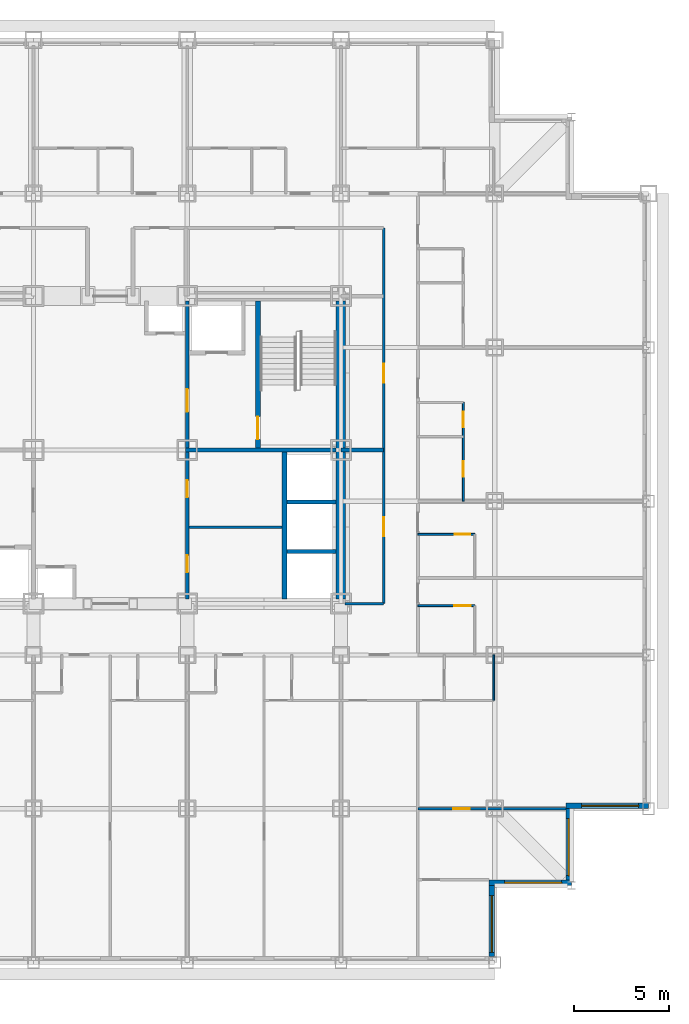
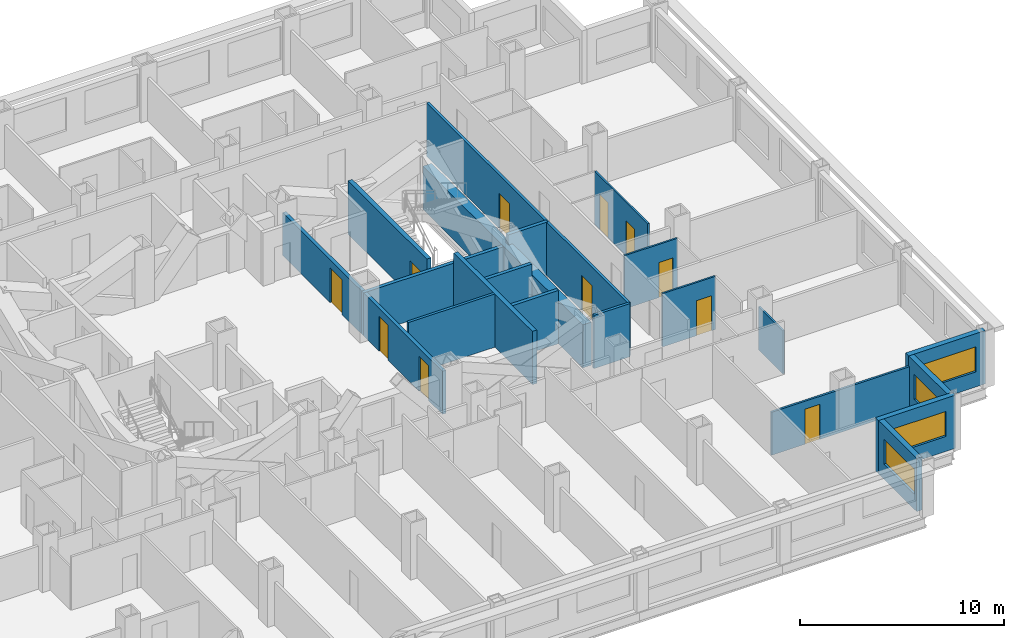
# One storey, part 7 of 12: 21 walls, 11 doors, 4 windows, 15 openings.
"""IFC4 building model written with IfcOpenShell, lengths in metres."""

from ifc_helpers import new_model, si_unit, direction, frame, frame_2d, origin, place, context, subcontext, project, spatial, rectangle, extrude, material, layer, layer_set, type_object, element, fill, save


model = new_model("IFC4")

# Units and contexts
model_context = context("Model", 3, precision=1e-05, world=origin(), true_north=direction((0.0, 1.0)))
body_context = subcontext(model_context, "Body", "Model", "MODEL_VIEW")
ifc_project = project(units=[si_unit("LENGTHUNIT", "METRE"), si_unit("AREAUNIT", "SQUARE_METRE"), si_unit("VOLUMEUNIT", "CUBIC_METRE"), si_unit("PLANEANGLEUNIT", "RADIAN"), si_unit("MASSUNIT", "GRAM", prefix="KILO")], contexts=[model_context])

# Site, building, storey
site_placement = place(None, origin())
site = spatial("IfcSite", under=ifc_project, at=site_placement, CompositionType="ELEMENT")
building_placement = place(site_placement, origin())
building = spatial("IfcBuilding", under=site, at=building_placement, Name="Kopane Lantern Tower", CompositionType="ELEMENT")
storey_placement = place(building_placement, frame((0.0, 0.0, 106.800048828125)))
storey = spatial("IfcBuildingStorey", under=building, at=storey_placement, Name="L26", CompositionType="ELEMENT", Elevation=106.800048828125)

# Wall, opening, door
ifc_material_1 = material(Name="Gypsum board on steel studs", Category="steel")
ifc_layer_1 = layer(ifc_material_1, 0.1201171875)
ifc_layer_set_1 = layer_set([ifc_layer_1], Name="APARTMENT INTERNAL WALL 120")
wall_type_1 = type_object("IfcWallType", Name="APARTMENT INTERNAL WALL 120", PredefinedType="PARTITIONING", material=ifc_layer_set_1)
wall_1_placement = place(storey_placement, frame((44.550048828125, 13.5, 0.0), z_axis=(0.0, 0.0, 1.0), x_axis=(1.0, 0.0, 0.0)))
wall_1 = element("IfcWall", 1, at=wall_1_placement, inside=storey, type_object=wall_type_1, Name="Apartment Internal Wall 120 L26", PredefinedType="PARTITIONING", context=body_context, shape_type="SweptSolid", body=[
    extrude(rectangle(XDim=7.800048828125, YDim=0.1201171875, at=frame_2d((3.89990234375, 0.0))), origin(), (0.0, 0.0, 1.0), 2.57763671875),
])
opening_1_placement = place(wall_1_placement, frame((1.875, 0.0, 0.0)))
opening_1 = element("IfcOpeningElement", 2, at=opening_1_placement, cuts=wall_1, Name="Opening L26-058", PredefinedType="OPENING", context=body_context, shape_type="SweptSolid", body=[
    extrude(rectangle(XDim=0.85009765625, YDim=2.10009765625, at=frame_2d((0.425048828125, 1.050048828125))), frame((0.0, 0.070068359375, 0.0), z_axis=(0.0, -1.0, 0.0), x_axis=(1.0, 0.0, 0.0)), (0.0, 0.0, 1.0), 0.14013671875),
])
ifc_material_2 = material(Name="Timber door set", Category="wood")
door_type_1 = type_object("IfcDoorType", Name="DOOR D4 850x2100", OperationType="SINGLE_SWING_LEFT", PredefinedType="DOOR", material=ifc_material_2)
door_1_placement = place(opening_1_placement, origin())
door_1 = element("IfcDoor", 3, at=door_1_placement, inside=storey, type_object=door_type_1, Name="Door L26-058", OperationType="SINGLE_SWING_LEFT", OverallHeight=2.10009765625, OverallWidth=0.85009765625, PredefinedType="DOOR", context=body_context, shape_type="SweptSolid", body=[
    extrude(rectangle(XDim=0.85009765625, YDim=2.10009765625, at=frame_2d((0.425048828125, 1.050048828125))), frame((0.0, 0.02490234375, 0.0), z_axis=(0.0, -1.0, 0.0), x_axis=(1.0, 0.0, 0.0)), (0.0, 0.0, 1.0), 0.050048828125),
])
fill(opening_1, door_1)

ifc_material_3 = material(Name="Moisture-resistant board on steel studs", Category="steel")
ifc_layer_2 = layer(ifc_material_3, 0.10009765625)
ifc_layer_set_2 = layer_set([ifc_layer_2], Name="BATHROOM WALL 100")
wall_type_2 = type_object("IfcWallType", Name="BATHROOM WALL 100", PredefinedType="PARTITIONING", material=ifc_layer_set_2)
wall_2_placement = place(storey_placement, frame((44.550048828125, 24.199951171875, 0.0), z_axis=(0.0, 0.0, 1.0), x_axis=(1.0, 0.0, 0.0)))
wall_2 = element("IfcWall", 4, at=wall_2_placement, inside=storey, type_object=wall_type_2, Name="Bathroom Wall 100 L26", PredefinedType="PARTITIONING", context=body_context, shape_type="SweptSolid", body=[
    extrude(rectangle(XDim=3.0, YDim=0.10009765625, at=frame_2d((1.5, 0.0))), origin(), (0.0, 0.0, 1.0), 3.18994140625),
])
opening_2_placement = place(wall_2_placement, frame((1.925048828125, 0.0, 0.0)))
opening_2 = element("IfcOpeningElement", 5, at=opening_2_placement, cuts=wall_2, Name="Opening L26-039", PredefinedType="OPENING", context=body_context, shape_type="SweptSolid", body=[
    extrude(rectangle(XDim=0.85009765625, YDim=2.10009765625, at=frame_2d((0.425048828125, 1.050048828125))), frame((0.0, 0.06005859375, 0.0), z_axis=(0.0, -1.0, 0.0), x_axis=(1.0, 0.0, 0.0)), (0.0, 0.0, 1.0), 0.1201171875),
])
door_2_placement = place(opening_2_placement, origin())
door_2 = element("IfcDoor", 6, at=door_2_placement, inside=storey, type_object=door_type_1, Name="Door L26-039", OperationType="SINGLE_SWING_LEFT", OverallHeight=2.10009765625, OverallWidth=0.85009765625, PredefinedType="DOOR", context=body_context, shape_type="SweptSolid", body=[
    extrude(rectangle(XDim=0.85009765625, YDim=2.10009765625, at=frame_2d((0.425048828125, 1.050048828125))), frame((0.0, 0.02490234375, 0.0), z_axis=(0.0, -1.0, 0.0), x_axis=(1.0, 0.0, 0.0)), (0.0, 0.0, 1.0), 0.050048828125),
])
fill(opening_2, door_2)

wall_3_placement = place(storey_placement, frame((44.550048828125, 27.949951171875, 0.0), z_axis=(0.0, 0.0, 1.0), x_axis=(1.0, 0.0, 0.0)))
wall_3 = element("IfcWall", 7, at=wall_3_placement, inside=storey, type_object=wall_type_2, Name="Bathroom Wall 100 L26", PredefinedType="PARTITIONING", context=body_context, shape_type="SweptSolid", body=[
    extrude(rectangle(XDim=3.0, YDim=0.10009765625, at=frame_2d((1.5, 0.0))), origin(), (0.0, 0.0, 1.0), 3.18994140625),
])
opening_3_placement = place(wall_3_placement, frame((1.949951171875, 0.0, 0.0)))
opening_3 = element("IfcOpeningElement", 8, at=opening_3_placement, cuts=wall_3, Name="Opening L26-041", PredefinedType="OPENING", context=body_context, shape_type="SweptSolid", body=[
    extrude(rectangle(XDim=0.800048828125, YDim=2.10009765625, at=frame_2d((0.39990234375, 1.050048828125))), frame((0.0, 0.06005859375, 0.0), z_axis=(0.0, -1.0, 0.0), x_axis=(1.0, 0.0, 0.0)), (0.0, 0.0, 1.0), 0.1201171875),
])
ifc_material_4 = material(Name="Timber door set", Category="wood")
door_type_2 = type_object("IfcDoorType", Name="DOOR D2 800x2100", OperationType="SINGLE_SWING_LEFT", PredefinedType="DOOR", material=ifc_material_4)
door_3_placement = place(opening_3_placement, origin())
door_3 = element("IfcDoor", 9, at=door_3_placement, inside=storey, type_object=door_type_2, Name="Door L26-041", OperationType="SINGLE_SWING_LEFT", OverallHeight=2.10009765625, OverallWidth=0.800048828125, PredefinedType="DOOR", context=body_context, shape_type="SweptSolid", body=[
    extrude(rectangle(XDim=0.800048828125, YDim=2.10009765625, at=frame_2d((0.39990234375, 1.050048828125))), frame((0.0, 0.02490234375, 0.0), z_axis=(0.0, -1.0, 0.0), x_axis=(1.0, 0.0, 0.0)), (0.0, 0.0, 1.0), 0.050048828125),
])
fill(opening_3, door_3)

# Wall, openings, doors
wall_4_placement = place(storey_placement, frame((46.949951171875, 29.699951171875, 0.0), z_axis=(0.0, 0.0, 1.0), x_axis=(0.0, 1.0, 0.0)))
wall_4 = element("IfcWall", 10, at=wall_4_placement, inside=storey, type_object=wall_type_2, Name="Bathroom Wall 100 L26", PredefinedType="PARTITIONING", context=body_context, shape_type="SweptSolid", body=[
    extrude(rectangle(XDim=5.199951171875, YDim=0.10009765625, at=frame_2d((2.60009765625, 0.0))), origin(), (0.0, 0.0, 1.0), 3.18994140625),
])
opening_4_placement = place(wall_4_placement, frame((1.300048828125, 0.0, 0.0)))
opening_4 = element("IfcOpeningElement", 11, at=opening_4_placement, cuts=wall_4, Name="Opening L26-043", PredefinedType="OPENING", context=body_context, shape_type="SweptSolid", body=[
    extrude(rectangle(XDim=0.800048828125, YDim=2.10009765625, at=frame_2d((0.39990234375, 1.050048828125))), frame((0.0, 0.06005859375, 0.0), z_axis=(0.0, -1.0, 0.0), x_axis=(1.0, 0.0, 0.0)), (0.0, 0.0, 1.0), 0.1201171875),
])
opening_5_placement = place(wall_4_placement, frame((3.89990234375, 0.0, 0.0)))
opening_5 = element("IfcOpeningElement", 12, at=opening_5_placement, cuts=wall_4, Name="Opening L26-044", PredefinedType="OPENING", context=body_context, shape_type="SweptSolid", body=[
    extrude(rectangle(XDim=0.800048828125, YDim=2.10009765625, at=frame_2d((0.39990234375, 1.050048828125))), frame((0.0, 0.06005859375, 0.0), z_axis=(0.0, -1.0, 0.0), x_axis=(1.0, 0.0, 0.0)), (0.0, 0.0, 1.0), 0.1201171875),
])
door_4_placement = place(opening_4_placement, origin())
door_4 = element("IfcDoor", 13, at=door_4_placement, inside=storey, type_object=door_type_2, Name="Door L26-043", OperationType="SINGLE_SWING_RIGHT", OverallHeight=2.10009765625, OverallWidth=0.800048828125, PredefinedType="DOOR", context=body_context, shape_type="SweptSolid", body=[
    extrude(rectangle(XDim=0.800048828125, YDim=2.10009765625, at=frame_2d((0.39990234375, 1.050048828125))), frame((0.0, 0.02490234375, 0.0), z_axis=(0.0, -1.0, 0.0), x_axis=(1.0, 0.0, 0.0)), (0.0, 0.0, 1.0), 0.050048828125),
])
fill(opening_4, door_4)
door_5_placement = place(opening_5_placement, origin())
door_5 = element("IfcDoor", 14, at=door_5_placement, inside=storey, type_object=door_type_2, Name="Door L26-044", OperationType="SINGLE_SWING_RIGHT", OverallHeight=2.10009765625, OverallWidth=0.800048828125, PredefinedType="DOOR", context=body_context, shape_type="SweptSolid", body=[
    extrude(rectangle(XDim=0.800048828125, YDim=2.10009765625, at=frame_2d((0.39990234375, 1.050048828125))), frame((0.0, 0.02490234375, 0.0), z_axis=(0.0, -1.0, 0.0), x_axis=(1.0, 0.0, 0.0)), (0.0, 0.0, 1.0), 0.050048828125),
])
fill(opening_5, door_5)

# Walls
wall_5_placement = place(storey_placement, frame((48.550048828125, 21.60009765625, 0.0), z_axis=(0.0, 0.0, 1.0), x_axis=(0.0, -1.0, 0.0)))
element("IfcWall", 15, at=wall_5_placement, inside=storey, type_object=wall_type_2, Name="Bathroom Wall 100 L26", PredefinedType="PARTITIONING", context=body_context, shape_type="SweptSolid", body=[
    extrude(rectangle(XDim=2.400146484375, YDim=0.10009765625, at=frame_2d((1.2001953125, 0.0))), origin(), (0.0, 0.0, 1.0), 2.57763671875),
])
ifc_material_5 = material(Name="Gypsum shaft wall EI 120", Category="gypsum")
ifc_layer_3 = layer(ifc_material_5, 0.5)
ifc_layer_set_3 = layer_set([ifc_layer_3], Name="CORE PERIMETER WALL 500 EI 120")
wall_type_3 = type_object("IfcWallType", Name="CORE PERIMETER WALL 500 EI 120", PredefinedType="SOLIDWALL", material=ifc_layer_set_3)
wall_6_placement = place(storey_placement, frame((40.5, 24.550048828125, 0.0), z_axis=(0.0, 0.0, 1.0), x_axis=(0.0, 1.0, 0.0)))
element("IfcWall", 16, at=wall_6_placement, inside=storey, type_object=wall_type_3, Name="Core shaft wall L26 PE", PredefinedType="SOLIDWALL", context=body_context, shape_type="SweptSolid", body=[
    extrude(rectangle(XDim=15.699951171875, YDim=0.5, at=frame_2d((7.85009765625, 0.0))), origin(), (0.0, 0.0, 1.0), 2.57763671875),
])
ifc_material_6 = material(Name="Gypsum partition EI 60", Category="gypsum")
ifc_layer_4 = layer(ifc_material_6, 0.14990234375)
ifc_layer_set_4 = layer_set([ifc_layer_4], Name="CORE ROOM PARTITION 150 EI 60")
wall_type_4 = type_object("IfcWallType", Name="CORE ROOM PARTITION 150 EI 60", PredefinedType="PARTITIONING", material=ifc_layer_set_4)
wall_7_placement = place(storey_placement, frame((32.5, 28.324951171875, 0.0), z_axis=(0.0, 0.0, 1.0), x_axis=(1.0, 0.0, 0.0)))
element("IfcWall", 17, at=wall_7_placement, inside=storey, type_object=wall_type_4, Name="Core room partition L26 E1", PredefinedType="PARTITIONING", context=body_context, shape_type="SweptSolid", body=[
    extrude(rectangle(XDim=4.89990234375, YDim=0.14990234375, at=frame_2d((2.449951171875, 0.0))), origin(), (0.0, 0.0, 1.0), 3.18994140625),
])

# Wall, openings, doors
ifc_material_7 = material(Name="Gypsum partition EI 60", Category="gypsum")
ifc_layer_5 = layer(ifc_material_7, 0.199951171875)
ifc_layer_set_5 = layer_set([ifc_layer_5], Name="CORE ROOM WALL 200 EI 60")
wall_type_5 = type_object("IfcWallType", Name="CORE ROOM WALL 200 EI 60", PredefinedType="PARTITIONING", material=ifc_layer_set_5)
wall_8_placement = place(storey_placement, frame((32.39990234375, 24.550048828125, 0.0), z_axis=(0.0, 0.0, 1.0), x_axis=(0.0, 1.0, 0.0)))
wall_8 = element("IfcWall", 18, at=wall_8_placement, inside=storey, type_object=wall_type_5, Name="Core room wall L26 XE", PredefinedType="PARTITIONING", context=body_context, shape_type="SweptSolid", body=[
    extrude(rectangle(XDim=7.75, YDim=0.199951171875, at=frame_2d((3.875, 0.0))), origin(), (0.0, 0.0, 1.0), 2.57763671875),
])
opening_6_placement = place(wall_8_placement, frame((1.39990234375, 0.0, 0.0)))
opening_6 = element("IfcOpeningElement", 19, at=opening_6_placement, cuts=wall_8, Name="Opening 26.C20", PredefinedType="OPENING", context=body_context, shape_type="SweptSolid", body=[
    extrude(rectangle(XDim=0.89990234375, YDim=2.10009765625, at=frame_2d((0.449951171875, 1.050048828125))), frame((0.0, 0.10986328125, 0.0), z_axis=(0.0, -1.0, 0.0), x_axis=(1.0, 0.0, 0.0)), (0.0, 0.0, 1.0), 0.219970703125),
])
opening_7_placement = place(wall_8_placement, frame((5.35009765625, 0.0, 0.0)))
opening_7 = element("IfcOpeningElement", 20, at=opening_7_placement, cuts=wall_8, Name="Opening 26.C21", PredefinedType="OPENING", context=body_context, shape_type="SweptSolid", body=[
    extrude(rectangle(XDim=0.89990234375, YDim=2.10009765625, at=frame_2d((0.449951171875, 1.050048828125))), frame((0.0, 0.10986328125, 0.0), z_axis=(0.0, -1.0, 0.0), x_axis=(1.0, 0.0, 0.0)), (0.0, 0.0, 1.0), 0.219970703125),
])
ifc_material_8 = material(Name="Steel door set", Category="steel")
door_type_3 = type_object("IfcDoorType", Name="CORE ROOM DOOR 900x2100 FD60", OperationType="SINGLE_SWING_LEFT", PredefinedType="DOOR", material=ifc_material_8)
door_6_placement = place(opening_6_placement, origin())
door_6 = element("IfcDoor", 21, at=door_6_placement, inside=storey, type_object=door_type_3, Name="Door Linen store L26", OperationType="SINGLE_SWING_LEFT", OverallHeight=2.10009765625, OverallWidth=0.89990234375, PredefinedType="DOOR", context=body_context, shape_type="SweptSolid", body=[
    extrude(rectangle(XDim=0.89990234375, YDim=2.10009765625, at=frame_2d((0.449951171875, 1.050048828125))), frame((0.0, 0.02490234375, 0.0), z_axis=(0.0, -1.0, 0.0), x_axis=(1.0, 0.0, 0.0)), (0.0, 0.0, 1.0), 0.050048828125),
])
fill(opening_6, door_6)
door_7_placement = place(opening_7_placement, origin())
door_7 = element("IfcDoor", 22, at=door_7_placement, inside=storey, type_object=door_type_3, Name="Door Housekeeping store L26", OperationType="SINGLE_SWING_LEFT", OverallHeight=2.10009765625, OverallWidth=0.89990234375, PredefinedType="DOOR", context=body_context, shape_type="SweptSolid", body=[
    extrude(rectangle(XDim=0.89990234375, YDim=2.10009765625, at=frame_2d((0.449951171875, 1.050048828125))), frame((0.0, 0.02490234375, 0.0), z_axis=(0.0, -1.0, 0.0), x_axis=(1.0, 0.0, 0.0)), (0.0, 0.0, 1.0), 0.050048828125),
])
fill(opening_7, door_7)

# Wall
ifc_material_9 = material(Name="Gypsum shaft wall EI 120", Category="gypsum")
ifc_layer_6 = layer(ifc_material_9, 0.25)
ifc_layer_set_6 = layer_set([ifc_layer_6], Name="CORE SHAFT WALL 250 EI 120")
wall_type_6 = type_object("IfcWallType", Name="CORE SHAFT WALL 250 EI 120", PredefinedType="SOLIDWALL", material=ifc_layer_set_6)
wall_9_placement = place(storey_placement, frame((37.52490234375, 24.550048828125, 0.0), z_axis=(0.0, 0.0, 1.0), x_axis=(0.0, 1.0, 0.0)))
element("IfcWall", 23, at=wall_9_placement, inside=storey, type_object=wall_type_6, Name="Core shaft wall L26 XLR", PredefinedType="SOLIDWALL", context=body_context, shape_type="SweptSolid", body=[
    extrude(rectangle(XDim=7.75, YDim=0.25, at=frame_2d((3.875, 0.0))), origin(), (0.0, 0.0, 1.0), 3.18994140625),
])

# Wall, opening, door
wall_10_placement = place(storey_placement, frame((36.125, 32.5, 0.0), z_axis=(0.0, 0.0, 1.0), x_axis=(0.0, 1.0, 0.0)))
wall_10 = element("IfcWall", 24, at=wall_10_placement, inside=storey, type_object=wall_type_6, Name="Core shaft wall L26 XST2", PredefinedType="SOLIDWALL", context=body_context, shape_type="SweptSolid", body=[
    extrude(rectangle(XDim=7.75, YDim=0.25, at=frame_2d((3.875, 0.0))), origin(), (0.0, 0.0, 1.0), 3.18994140625),
])
opening_8_placement = place(wall_10_placement, frame((0.449951171875, 0.0, 0.0)))
opening_8 = element("IfcOpeningElement", 25, at=opening_8_placement, cuts=wall_10, Name="Opening 26.SD2", PredefinedType="OPENING", context=body_context, shape_type="SweptSolid", body=[
    extrude(rectangle(XDim=1.199951171875, YDim=2.10009765625, at=frame_2d((0.60009765625, 1.050048828125))), frame((0.0, 0.135009765625, 0.0), z_axis=(0.0, -1.0, 0.0), x_axis=(1.0, 0.0, 0.0)), (0.0, 0.0, 1.0), 0.27001953125),
])
ifc_material_10 = material(Name="Steel door set", Category="steel")
door_type_4 = type_object("IfcDoorType", Name="STAIR DOOR 1200x2100 FD60S", OperationType="SINGLE_SWING_LEFT", PredefinedType="DOOR", material=ifc_material_10)
door_8_placement = place(opening_8_placement, origin())
door_8 = element("IfcDoor", 26, at=door_8_placement, inside=storey, type_object=door_type_4, Name="Stair door ST2 L26", OperationType="SINGLE_SWING_RIGHT", OverallHeight=2.10009765625, OverallWidth=1.199951171875, PredefinedType="DOOR", context=body_context, shape_type="SweptSolid", body=[
    extrude(rectangle(XDim=1.199951171875, YDim=2.10009765625, at=frame_2d((0.60009765625, 1.050048828125))), frame((0.0, 0.02490234375, 0.0), z_axis=(0.0, -1.0, 0.0), x_axis=(1.0, 0.0, 0.0)), (0.0, 0.0, 1.0), 0.050048828125),
])
fill(opening_8, door_8)

# Wall, openings, doors
ifc_material_11 = material(Name="Gypsum board on steel studs", Category="steel")
ifc_layer_7 = layer(ifc_material_11, 0.14990234375)
ifc_layer_set_7 = layer_set([ifc_layer_7], Name="CORRIDOR WALL 150 EI 60")
wall_type_7 = type_object("IfcWallType", Name="CORRIDOR WALL 150 EI 60", PredefinedType="PARTITIONING", material=ifc_layer_set_7)
wall_11_placement = place(storey_placement, frame((42.75, 24.300048828125, 0.0), z_axis=(0.0, 0.0, 1.0), x_axis=(0.0, 1.0, 0.0)))
wall_11 = element("IfcWall", 27, at=wall_11_placement, inside=storey, type_object=wall_type_7, Name="Corridor Wall 150 Ei 60 L26", PredefinedType="PARTITIONING", context=body_context, shape_type="SweptSolid", body=[
    extrude(rectangle(XDim=19.800048828125, YDim=0.14990234375, at=frame_2d((9.89990234375, 0.0))), origin(), (0.0, 0.0, 1.0), 3.18994140625),
])
opening_9_placement = place(wall_11_placement, frame((3.550048828125, 0.0, 0.0)))
opening_9 = element("IfcOpeningElement", 28, at=opening_9_placement, cuts=wall_11, Name="Opening L26-003", PredefinedType="OPENING", context=body_context, shape_type="SweptSolid", body=[
    extrude(rectangle(XDim=1.0, YDim=2.10009765625, at=frame_2d((0.5, 1.050048828125))), frame((0.0, 0.0849609375, 0.0), z_axis=(0.0, -1.0, 0.0), x_axis=(1.0, 0.0, 0.0)), (0.0, 0.0, 1.0), 0.169921875),
])
opening_10_placement = place(wall_11_placement, frame((11.64990234375, 0.0, 0.0)))
opening_10 = element("IfcOpeningElement", 29, at=opening_10_placement, cuts=wall_11, Name="Opening L26-004", PredefinedType="OPENING", context=body_context, shape_type="SweptSolid", body=[
    extrude(rectangle(XDim=1.0, YDim=2.10009765625, at=frame_2d((0.5, 1.050048828125))), frame((0.0, 0.0849609375, 0.0), z_axis=(0.0, -1.0, 0.0), x_axis=(1.0, 0.0, 0.0)), (0.0, 0.0, 1.0), 0.169921875),
])
ifc_material_12 = material(Name="Steel door set", Category="steel")
door_type_5 = type_object("IfcDoorType", Name="DOOR D5 1000x2100 FD60", OperationType="SINGLE_SWING_LEFT", PredefinedType="DOOR", material=ifc_material_12)
door_9_placement = place(opening_9_placement, origin())
door_9 = element("IfcDoor", 30, at=door_9_placement, inside=storey, type_object=door_type_5, Name="Door L26-003", OperationType="SINGLE_SWING_LEFT", OverallHeight=2.10009765625, OverallWidth=1.0, PredefinedType="DOOR", context=body_context, shape_type="SweptSolid", body=[
    extrude(rectangle(XDim=1.0, YDim=2.10009765625, at=frame_2d((0.5, 1.050048828125))), frame((0.0, 0.02490234375, 0.0), z_axis=(0.0, -1.0, 0.0), x_axis=(1.0, 0.0, 0.0)), (0.0, 0.0, 1.0), 0.050048828125),
])
fill(opening_9, door_9)
door_10_placement = place(opening_10_placement, origin())
door_10 = element("IfcDoor", 31, at=door_10_placement, inside=storey, type_object=door_type_5, Name="Door L26-004", OperationType="SINGLE_SWING_RIGHT", OverallHeight=2.10009765625, OverallWidth=1.0, PredefinedType="DOOR", context=body_context, shape_type="SweptSolid", body=[
    extrude(rectangle(XDim=1.0, YDim=2.10009765625, at=frame_2d((0.5, 1.050048828125))), frame((0.0, 0.02490234375, 0.0), z_axis=(0.0, -1.0, 0.0), x_axis=(1.0, 0.0, 0.0)), (0.0, 0.0, 1.0), 0.050048828125),
])
fill(opening_10, door_10)

# Wall
wall_12_placement = place(storey_placement, frame((40.699951171875, 24.300048828125, 0.0), z_axis=(0.0, 0.0, 1.0), x_axis=(1.0, 0.0, 0.0)))
element("IfcWall", 32, at=wall_12_placement, inside=storey, type_object=wall_type_7, Name="Corridor Wall 150 Ei 60 L26", PredefinedType="PARTITIONING", context=body_context, shape_type="SweptSolid", body=[
    extrude(rectangle(XDim=2.050048828125, YDim=0.14990234375, at=frame_2d((1.02490234375, 0.0))), origin(), (0.0, 0.0, 1.0), 3.18994140625),
])

# Wall, opening, window
ifc_material_13 = material(Name="Terracotta rainscreen on light steel framing", Category="masonry")
ifc_layer_8 = layer(ifc_material_13, 0.300048828125)
ifc_layer_set_8 = layer_set([ifc_layer_8], Name="EXTERNAL WALL EW1 300 TERRACOTTA")
wall_type_8 = type_object("IfcWallType", Name="EXTERNAL WALL EW1 300 TERRACOTTA", PredefinedType="SOLIDWALL", material=ifc_layer_set_8)
wall_13_placement = place(storey_placement, frame((48.449951171875, 5.699951171875, 0.0), z_axis=(0.0, 0.0, 1.0), x_axis=(0.0, 1.0, 0.0)))
wall_13 = element("IfcWall", 33, at=wall_13_placement, inside=storey, type_object=wall_type_8, Name="External wall E L26", PredefinedType="SOLIDWALL", context=body_context, shape_type="SweptSolid", body=[
    extrude(rectangle(XDim=3.75, YDim=0.300048828125, at=frame_2d((1.875, 0.0))), origin(), (0.0, 0.0, 1.0), 3.18994140625),
])
opening_11_placement = place(wall_13_placement, frame((0.22509765625, 0.0, 0.89990234375)))
opening_11 = element("IfcOpeningElement", 34, at=opening_11_placement, cuts=wall_13, Name="Opening WR300150", PredefinedType="OPENING", context=body_context, shape_type="SweptSolid", body=[
    extrude(rectangle(XDim=3.0, YDim=1.5, at=frame_2d((1.5, 0.75))), frame((0.0, 0.159912109375, 0.0), z_axis=(0.0, -1.0, 0.0), x_axis=(1.0, 0.0, 0.0)), (0.0, 0.0, 1.0), 0.320068359375),
])
ifc_material_14 = material(Name="Aluminium and clear glass", Category="aluminium")
window_type = type_object("IfcWindowType", Name="RIBBON WINDOW WR300150 3000x1500", PartitioningType="SINGLE_PANEL", PredefinedType="WINDOW", material=ifc_material_14)
window_1_placement = place(opening_11_placement, origin())
window_1 = element("IfcWindow", 35, at=window_1_placement, inside=storey, type_object=window_type, Name="Window E L26", OverallHeight=1.5, OverallWidth=3.0, PartitioningType="SINGLE_PANEL", PredefinedType="WINDOW", context=body_context, shape_type="SweptSolid", body=[
    extrude(rectangle(XDim=3.0, YDim=1.5, at=frame_2d((1.5, 0.75))), frame((0.0, 0.030029296875, 0.0), z_axis=(0.0, -1.0, 0.0), x_axis=(1.0, 0.0, 0.0)), (0.0, 0.0, 1.0), 0.06005859375),
])
fill(opening_11, window_1)

wall_14_placement = place(storey_placement, frame((48.300048828125, 9.60009765625, 0.0), z_axis=(0.0, 0.0, 1.0), x_axis=(1.0, 0.0, 0.0)))
wall_14 = element("IfcWall", 36, at=wall_14_placement, inside=storey, type_object=wall_type_8, Name="External wall S L26", PredefinedType="SOLIDWALL", context=body_context, shape_type="SweptSolid", body=[
    extrude(rectangle(XDim=4.349853515625, YDim=0.300048828125, at=frame_2d((2.1748046875, 0.0))), origin(), (0.0, 0.0, 1.0), 3.18994140625),
])
opening_12_placement = place(wall_14_placement, frame((0.824951171875, 0.0, 0.89990234375)))
opening_12 = element("IfcOpeningElement", 37, at=opening_12_placement, cuts=wall_14, Name="Opening WR300150", PredefinedType="OPENING", context=body_context, shape_type="SweptSolid", body=[
    extrude(rectangle(XDim=3.0, YDim=1.5, at=frame_2d((1.5, 0.75))), frame((0.0, 0.159912109375, 0.0), z_axis=(0.0, -1.0, 0.0), x_axis=(1.0, 0.0, 0.0)), (0.0, 0.0, 1.0), 0.320068359375),
])
window_2_placement = place(opening_12_placement, origin())
window_2 = element("IfcWindow", 38, at=window_2_placement, inside=storey, type_object=window_type, Name="Window S L26", OverallHeight=1.5, OverallWidth=3.0, PartitioningType="SINGLE_PANEL", PredefinedType="WINDOW", context=body_context, shape_type="SweptSolid", body=[
    extrude(rectangle(XDim=3.0, YDim=1.5, at=frame_2d((1.5, 0.75))), frame((0.0, 0.030029296875, 0.0), z_axis=(0.0, -1.0, 0.0), x_axis=(1.0, 0.0, 0.0)), (0.0, 0.0, 1.0), 0.06005859375),
])
fill(opening_12, window_2)

wall_15_placement = place(storey_placement, frame((52.5, 9.75, 0.0), z_axis=(0.0, 0.0, 1.0), x_axis=(0.0, 1.0, 0.0)))
wall_15 = element("IfcWall", 39, at=wall_15_placement, inside=storey, type_object=wall_type_8, Name="External wall E L26", PredefinedType="SOLIDWALL", context=body_context, shape_type="SweptSolid", body=[
    extrude(rectangle(XDim=3.75, YDim=0.300048828125, at=frame_2d((1.875, 0.0))), origin(), (0.0, 0.0, 1.0), 3.18994140625),
])
opening_13_placement = place(wall_15_placement, frame((0.22509765625, 0.0, 0.89990234375)))
opening_13 = element("IfcOpeningElement", 40, at=opening_13_placement, cuts=wall_15, Name="Opening WR300150", PredefinedType="OPENING", context=body_context, shape_type="SweptSolid", body=[
    extrude(rectangle(XDim=3.0, YDim=1.5, at=frame_2d((1.5, 0.75))), frame((0.0, 0.159912109375, 0.0), z_axis=(0.0, -1.0, 0.0), x_axis=(1.0, 0.0, 0.0)), (0.0, 0.0, 1.0), 0.320068359375),
])
window_3_placement = place(opening_13_placement, origin())
window_3 = element("IfcWindow", 41, at=window_3_placement, inside=storey, type_object=window_type, Name="Window E L26", OverallHeight=1.5, OverallWidth=3.0, PartitioningType="SINGLE_PANEL", PredefinedType="WINDOW", context=body_context, shape_type="SweptSolid", body=[
    extrude(rectangle(XDim=3.0, YDim=1.5, at=frame_2d((1.5, 0.75))), frame((0.0, 0.030029296875, 0.0), z_axis=(0.0, -1.0, 0.0), x_axis=(1.0, 0.0, 0.0)), (0.0, 0.0, 1.0), 0.06005859375),
])
fill(opening_13, window_3)

wall_16_placement = place(storey_placement, frame((52.35009765625, 13.64990234375, 0.0), z_axis=(0.0, 0.0, 1.0), x_axis=(1.0, 0.0, 0.0)))
wall_16 = element("IfcWall", 42, at=wall_16_placement, inside=storey, type_object=wall_type_8, Name="External wall S L26", PredefinedType="SOLIDWALL", context=body_context, shape_type="SweptSolid", body=[
    extrude(rectangle(XDim=4.349853515625, YDim=0.300048828125, at=frame_2d((2.1748046875, 0.0))), origin(), (0.0, 0.0, 1.0), 3.18994140625),
])
opening_14_placement = place(wall_16_placement, frame((0.824951171875, 0.0, 0.89990234375)))
opening_14 = element("IfcOpeningElement", 43, at=opening_14_placement, cuts=wall_16, Name="Opening WR300150", PredefinedType="OPENING", context=body_context, shape_type="SweptSolid", body=[
    extrude(rectangle(XDim=3.0, YDim=1.5, at=frame_2d((1.5, 0.75))), frame((0.0, 0.159912109375, 0.0), z_axis=(0.0, -1.0, 0.0), x_axis=(1.0, 0.0, 0.0)), (0.0, 0.0, 1.0), 0.320068359375),
])
window_4_placement = place(opening_14_placement, origin())
window_4 = element("IfcWindow", 44, at=window_4_placement, inside=storey, type_object=window_type, Name="Window S L26", OverallHeight=1.5, OverallWidth=3.0, PartitioningType="SINGLE_PANEL", PredefinedType="WINDOW", context=body_context, shape_type="SweptSolid", body=[
    extrude(rectangle(XDim=3.0, YDim=1.5, at=frame_2d((1.5, 0.75))), frame((0.0, 0.030029296875, 0.0), z_axis=(0.0, -1.0, 0.0), x_axis=(1.0, 0.0, 0.0)), (0.0, 0.0, 1.0), 0.06005859375),
])
fill(opening_14, window_4)

# Walls
ifc_material_15 = material(Name="Concrete masonry", Category="masonry")
ifc_layer_9 = layer(ifc_material_15, 0.199951171875)
ifc_layer_set_9 = layer_set([ifc_layer_9], Name="PLANT ROOM WALL 200 EI 120")
wall_type_9 = type_object("IfcWallType", Name="PLANT ROOM WALL 200 EI 120", PredefinedType="SOLIDWALL", material=ifc_layer_set_9)
wall_17_placement = place(storey_placement, frame((40.5, 32.39990234375, 0.0), z_axis=(0.0, 0.0, 1.0), x_axis=(1.0, 0.0, 0.0)))
element("IfcWall", 45, at=wall_17_placement, inside=storey, type_object=wall_type_9, Name="Plant Room Wall 200 Ei 120 L26", PredefinedType="SOLIDWALL", context=body_context, shape_type="SweptSolid", body=[
    extrude(rectangle(XDim=2.25, YDim=0.199951171875, at=frame_2d((1.125, 0.0))), origin(), (0.0, 0.0, 1.0), 3.18994140625),
])
ifc_material_16 = material(Name="Gypsum shaft wall EI 120", Category="gypsum")
ifc_layer_10 = layer(ifc_material_16, 0.199951171875)
ifc_layer_set_10 = layer_set([ifc_layer_10], Name="SHAFT WALL 200 EI 120")
wall_type_10 = type_object("IfcWallType", Name="SHAFT WALL 200 EI 120", PredefinedType="SOLIDWALL", material=ifc_layer_set_10)
wall_18_placement = place(storey_placement, frame((32.300048828125, 32.39990234375, 0.0), z_axis=(0.0, 0.0, 1.0), x_axis=(1.0, 0.0, 0.0)))
element("IfcWall", 46, at=wall_18_placement, inside=storey, type_object=wall_type_10, Name="Core shaft wall L26 Y324E", PredefinedType="SOLIDWALL", context=body_context, shape_type="SweptSolid", body=[
    extrude(rectangle(XDim=7.949951171875, YDim=0.199951171875, at=frame_2d((3.97509765625, 0.0))), origin(), (0.0, 0.0, 1.0), 2.57763671875),
])

# Wall, opening, door
wall_19_placement = place(storey_placement, frame((32.39990234375, 32.5, 0.0), z_axis=(0.0, 0.0, 1.0), x_axis=(0.0, 1.0, 0.0)))
wall_19 = element("IfcWall", 47, at=wall_19_placement, inside=storey, type_object=wall_type_10, Name="Core shaft wall L26 X324", PredefinedType="SOLIDWALL", context=body_context, shape_type="SweptSolid", body=[
    extrude(rectangle(XDim=7.75, YDim=0.199951171875, at=frame_2d((3.875, 0.0))), origin(), (0.0, 0.0, 1.0), 2.57763671875),
])
opening_15_placement = place(wall_19_placement, frame((1.89990234375, 0.0, 0.0)))
opening_15 = element("IfcOpeningElement", 48, at=opening_15_placement, cuts=wall_19, Name="Opening 26.FL2", PredefinedType="OPENING", context=body_context, shape_type="SweptSolid", body=[
    extrude(rectangle(XDim=1.199951171875, YDim=2.10009765625, at=frame_2d((0.60009765625, 1.050048828125))), frame((0.0, 0.10986328125, 0.0), z_axis=(0.0, -1.0, 0.0), x_axis=(1.0, 0.0, 0.0)), (0.0, 0.0, 1.0), 0.219970703125),
])
ifc_material_17 = material(Name="Steel door set", Category="steel")
door_type_6 = type_object("IfcDoorType", Name="FIREFIGHTING LOBBY DOOR 1200x2100 FD60S", OperationType="SINGLE_SWING_RIGHT", PredefinedType="DOOR", material=ifc_material_17)
door_11_placement = place(opening_15_placement, origin())
door_11 = element("IfcDoor", 49, at=door_11_placement, inside=storey, type_object=door_type_6, Name="Firefighting lobby door FL2 L26", OperationType="SINGLE_SWING_LEFT", OverallHeight=2.10009765625, OverallWidth=1.199951171875, PredefinedType="DOOR", context=body_context, shape_type="SweptSolid", body=[
    extrude(rectangle(XDim=1.199951171875, YDim=2.10009765625, at=frame_2d((0.60009765625, 1.050048828125))), frame((0.0, 0.02490234375, 0.0), z_axis=(0.0, -1.0, 0.0), x_axis=(1.0, 0.0, 0.0)), (0.0, 0.0, 1.0), 0.050048828125),
])
fill(opening_15, door_11)

# Walls
for number, where, z_axis, x_axis, name in (
    (50, (37.64990234375, 27.050048828125, 0.0), (0.0, 0.0, 1.0), (1.0, 0.0, 0.0), "Core shaft wall L26 YLR12"),
    (51, (37.64990234375, 29.64990234375, 0.0), (0.0, 0.0, 1.0), (1.0, 0.0, 0.0), "Core shaft wall L26 YLR23"),
):
    element("IfcWall", number, at=place(storey_placement, frame(where, z_axis=z_axis, x_axis=x_axis)), inside=storey, type_object=wall_type_10, Name=name, PredefinedType="SOLIDWALL", context=body_context, shape_type="SweptSolid", body=[
        extrude(rectangle(XDim=2.60009765625, YDim=0.199951171875, at=frame_2d((1.300048828125, 0.0))), origin(), (0.0, 0.0, 1.0), 3.18994140625),
    ])

save(model, "model.ifc")
